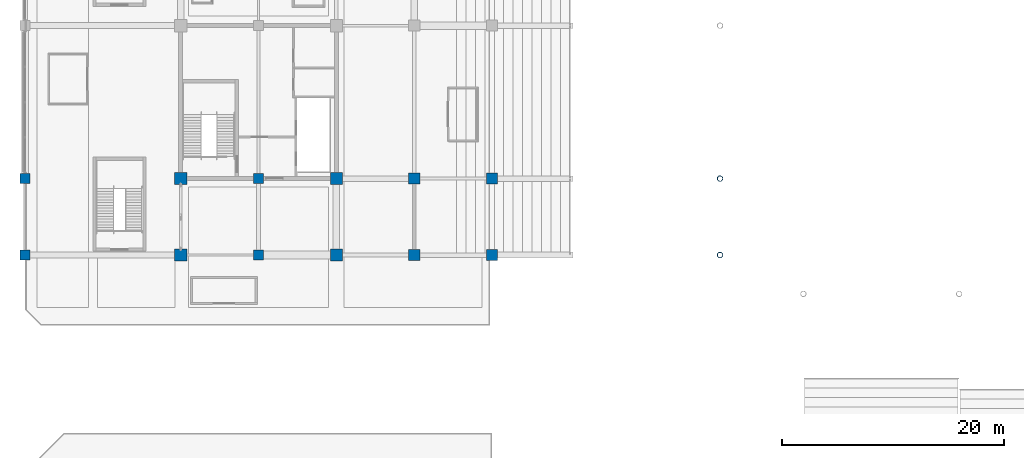
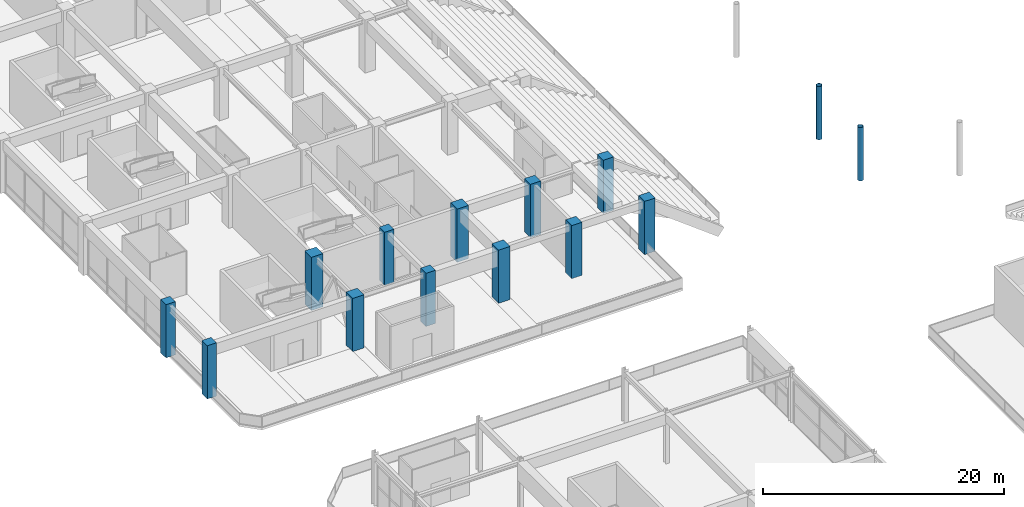
# One storey, part 3 of 117: 14 columns.
"""IFC4 building model written with IfcOpenShell, lengths in metres."""

from ifc_helpers import new_model, si_unit, direction, frame, origin, origin_2d, place, context, subcontext, project, spatial, rectangle, hollow_circle, extrude, material, material_profile, profile_set, type_object, element, save


model = new_model("IFC4")

# Units and contexts
model_context = context("Model", 3, precision=1e-05, world=origin(), true_north=direction((0.0, 1.0)))
body_context = subcontext(model_context, "Body", "Model", "MODEL_VIEW")
ifc_project = project(units=[si_unit("LENGTHUNIT", "METRE"), si_unit("AREAUNIT", "SQUARE_METRE"), si_unit("VOLUMEUNIT", "CUBIC_METRE"), si_unit("PLANEANGLEUNIT", "RADIAN"), si_unit("MASSUNIT", "GRAM", prefix="KILO")], contexts=[model_context])

# Site, building, storey
site_placement = place(None, origin())
site = spatial("IfcSite", under=ifc_project, at=site_placement, CompositionType="ELEMENT")
building_placement = place(site_placement, origin())
building = spatial("IfcBuilding", under=site, at=building_placement, Name="Linyun Crest Stadium", CompositionType="ELEMENT")
storey_placement = place(building_placement, frame((0.0, 0.0, 6.0)))
storey = spatial("IfcBuildingStorey", under=building, at=storey_placement, Name="L02", CompositionType="ELEMENT", Elevation=6.0)

# Columns
ifc_material_1 = material(Name="Concrete C50", Category="concrete")
ifc_material_profile_1 = material_profile(ifc_material_1, rectangle(XDim=0.89990234375, YDim=0.89990234375, at=origin_2d()), Name="RC 900x900")
ifc_profile_set_1 = profile_set([ifc_material_profile_1], Name="Concrete C50")
column_type_1 = type_object("IfcColumnType", Name="C04", PredefinedType="COLUMN", material=ifc_profile_set_1)
for number, where, z_axis, x_axis, name in (
    (1, (-98.0, -46.0, 0.0), (0.0, 0.0, 1.0), (1.0, 0.0, 0.0), "Column C04 L02 3"),
    (2, (-98.0, -39.125, 0.0), (0.0, 0.0, 1.0), (1.0, 0.0, 0.0), "Column C04 L02 9"),
    (3, (-77.0, -46.0, 0.0), (0.0, 0.0, 1.0), (1.0, 0.0, 0.0), "Column C04 L02 107"),
    (4, (-77.0, -39.125, 0.0), (0.0, 0.0, 1.0), (1.0, 0.0, 0.0), "Column C04 L02 112"),
):
    element("IfcColumn", number, at=place(storey_placement, frame(where, z_axis=z_axis, x_axis=x_axis)), inside=storey, type_object=column_type_1, Name=name, PredefinedType="COLUMN", context=body_context, shape_type="SweptSolid", body=[
        extrude(rectangle(XDim=0.89990234375, YDim=0.89990234375, at=origin_2d()), origin(), (0.0, 0.0, 1.0), 5.39794921875),
    ])
ifc_material_2 = material(Name="Concrete C50", Category="concrete")
ifc_material_profile_2 = material_profile(ifc_material_2, rectangle(XDim=1.0, YDim=1.0, at=origin_2d()), Name="RC 1000x1000")
ifc_profile_set_2 = profile_set([ifc_material_profile_2], Name="Concrete C50")
column_type_2 = type_object("IfcColumnType", Name="C05", PredefinedType="COLUMN", material=ifc_profile_set_2)
for number, where, z_axis, x_axis, name in (
    (5, (-63.0, -46.0, 0.0), (0.0, 0.0, 1.0), (1.0, 0.0, 0.0), "Column C05 L02 203"),
    (6, (-63.0, -39.125, 0.0), (0.0, 0.0, 1.0), (1.0, 0.0, 0.0), "Column C05 L02 208"),
    (7, (-56.0, -46.0, 0.0), (0.0, 0.0, 1.0), (1.0, 0.0, 0.0), "Column C05 L02 243"),
    (8, (-56.0, -39.125, 0.0), (0.0, 0.0, 1.0), (1.0, 0.0, 0.0), "Column C05 L02 247"),
):
    element("IfcColumn", number, at=place(storey_placement, frame(where, z_axis=z_axis, x_axis=x_axis)), inside=storey, type_object=column_type_2, Name=name, PredefinedType="COLUMN", context=body_context, shape_type="SweptSolid", body=[
        extrude(rectangle(XDim=1.0, YDim=1.0, at=origin_2d()), origin(), (0.0, 0.0, 1.0), 5.39794921875),
    ])
ifc_material_3 = material(Name="Concrete C50", Category="concrete")
ifc_material_profile_3 = material_profile(ifc_material_3, rectangle(XDim=1.10009765625, YDim=1.10009765625, at=origin_2d()), Name="RC 1100x1100")
ifc_profile_set_3 = profile_set([ifc_material_profile_3], Name="Concrete C50")
column_type_3 = type_object("IfcColumnType", Name="C06", PredefinedType="COLUMN", material=ifc_profile_set_3)
for number, where, z_axis, x_axis, name in (
    (9, (-84.0, -46.0, 0.0), (0.0, 0.0, 1.0), (1.0, 0.0, 0.0), "Column C06 L02 51"),
    (10, (-84.0, -39.125, 0.0), (0.0, 0.0, 1.0), (1.0, 0.0, 0.0), "Column C06 L02 58"),
    (11, (-70.0, -46.0, 0.0), (0.0, 0.0, 1.0), (1.0, 0.0, 0.0), "Column C06 L02 147"),
    (12, (-70.0, -39.125, 0.0), (0.0, 0.0, 1.0), (1.0, 0.0, 0.0), "Column C06 L02 154"),
):
    element("IfcColumn", number, at=place(storey_placement, frame(where, z_axis=z_axis, x_axis=x_axis)), inside=storey, type_object=column_type_3, Name=name, PredefinedType="COLUMN", context=body_context, shape_type="SweptSolid", body=[
        extrude(rectangle(XDim=1.10009765625, YDim=1.10009765625, at=origin_2d()), origin(), (0.0, 0.0, 1.0), 5.39794921875),
    ])
ifc_material_4 = material(Name="Steel Q355C", Category="steel")
ifc_material_profile_4 = material_profile(ifc_material_4, hollow_circle(Radius=0.25390625, WallThickness=0.02490234375, at=origin_2d()), Name="CHS 508x25")
ifc_profile_set_4 = profile_set([ifc_material_profile_4], Name="Steel Q355C")
column_type_4 = type_object("IfcColumnType", Name="SC05", PredefinedType="COLUMN", material=ifc_profile_set_4)
for number, where, z_axis, x_axis, name in (
    (13, (-35.5, -46.0, 0.0), (0.0, 0.0, 1.0), (1.0, 0.0, 0.0), "Arch colonnade column SC05 L02 2"),
    (14, (-35.5, -39.125, 0.0), (0.0, 0.0, 1.0), (1.0, 0.0, 0.0), "Arch colonnade column SC05 L02 4"),
):
    element("IfcColumn", number, at=place(storey_placement, frame(where, z_axis=z_axis, x_axis=x_axis)), inside=storey, type_object=column_type_4, Name=name, PredefinedType="COLUMN", context=body_context, shape_type="SweptSolid", body=[
        extrude(hollow_circle(Radius=0.25390625, WallThickness=0.02490234375, at=origin_2d()), origin(), (0.0, 0.0, 1.0), 5.39990234375),
    ])

save(model, "model.ifc")
